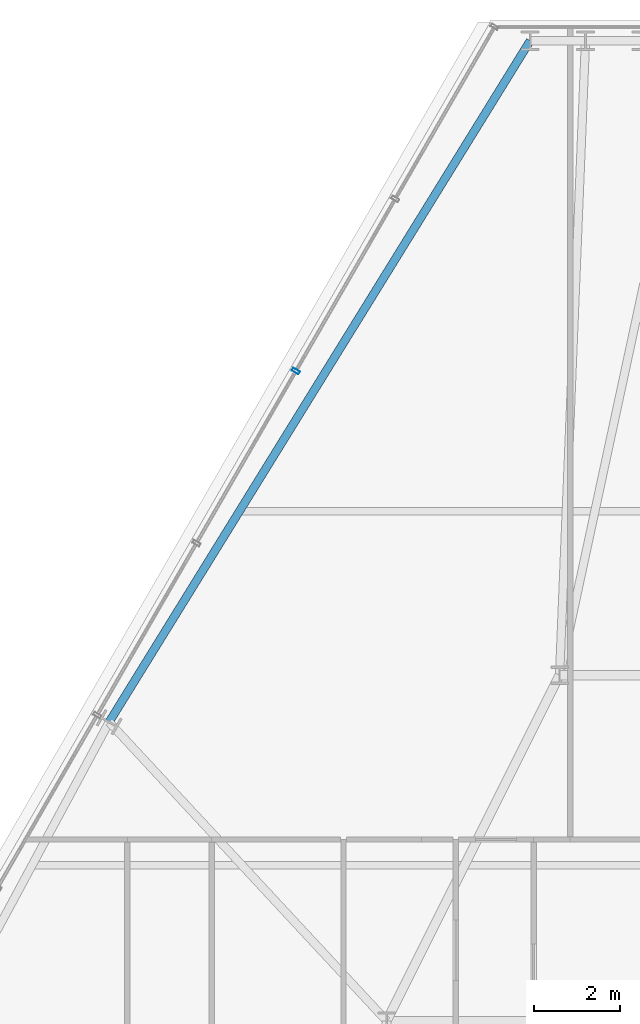
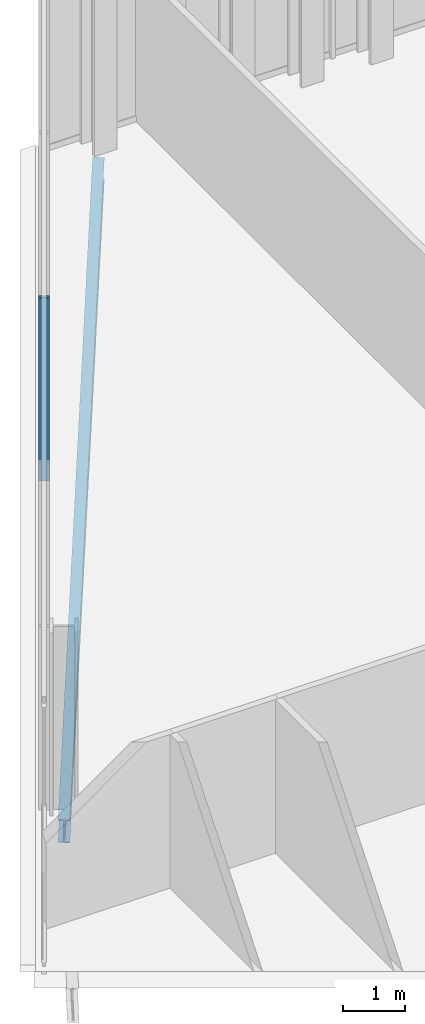
# One storey, part 21 of 33: 1 beam, 1 member, 1 element without a shape of its own.
"""IFC4 building model written with IfcOpenShell, lengths in metres."""

from ifc_helpers import new_model, si_unit, direction, frame, origin, origin_2d, place, context, subcontext, project, spatial, hollow_rectangle, i_section, extrude, material, layer, layer_set, material_profile, profile_set, type_object, element, aggregate, save


model = new_model("IFC4")

# Units and contexts
model_context = context("Model", 3, precision=1e-05, world=origin(), true_north=direction((0.0, 1.0)))
body_context = subcontext(model_context, "Body", "Model", "MODEL_VIEW")
ifc_project = project(units=[si_unit("LENGTHUNIT", "METRE"), si_unit("AREAUNIT", "SQUARE_METRE"), si_unit("VOLUMEUNIT", "CUBIC_METRE"), si_unit("PLANEANGLEUNIT", "RADIAN"), si_unit("MASSUNIT", "GRAM", prefix="KILO")], contexts=[model_context])

# Site, building, storey
site_placement = place(None, origin())
site = spatial("IfcSite", under=ifc_project, at=site_placement, CompositionType="ELEMENT")
building_placement = place(site_placement, origin())
building = spatial("IfcBuilding", under=site, at=building_placement, Name="Ndaravel Arena Tower", CompositionType="ELEMENT")
storey_placement = place(building_placement, frame((0.0, 0.0, 161.199951171875)))
storey = spatial("IfcBuildingStorey", under=building, at=storey_placement, Name="L38", CompositionType="ELEMENT", Elevation=161.199951171875)

# Beam
ifc_material_1 = material(Name="Steel S355", Category="steel")
ifc_material_profile_1 = material_profile(ifc_material_1, i_section(OverallWidth=0.18994140625, OverallDepth=0.449951171875, WebThickness=0.009521484375, FlangeThickness=0.0146484375, FilletRadius=0.02099609375, at=origin_2d()), Name="IPE 450")
ifc_profile_set_1 = profile_set([ifc_material_profile_1], Name="Steel S355")
beam_type = type_object("IfcBeamType", Name="BM-SPAN-IPE450", PredefinedType="SPANDREL", material=ifc_profile_set_1)
beam_placement = place(storey_placement, frame((37.519775390625, 45.881591796875, -0.445068359375), z_axis=(-0.525677399695, -0.850684002112, 0.0), x_axis=(0.850684002112, -0.525677399695, 0.0)))
element("IfcBeam", 1, at=beam_placement, inside=storey, type_object=beam_type, Name="L38 Perimeter Spandrel Beam SP-18", PredefinedType="SPANDREL", context=body_context, shape_type="SweptSolid", body=[
    extrude(i_section(OverallWidth=0.18994140625, OverallDepth=0.449951171875, WebThickness=0.009521484375, FlangeThickness=0.0146484375, FilletRadius=0.02099609375, at=origin_2d()), origin(), (0.0, 0.0, 1.0), 18.533935546875),
])

# Curtain wall, member
ifc_material_2 = material(Name="Aluminium", Category="aluminium")
ifc_layer = layer(ifc_material_2, 0.179931640625)
ifc_layer_set = layer_set([ifc_layer], Name="Aluminium")
curtain_wall_type = type_object("IfcCurtainWallType", Name="CW-SYS-03", PredefinedType="NOTDEFINED", material=ifc_layer_set)
curtain_wall_placement = place(storey_placement, origin())
curtain_wall = element("IfcCurtainWall", 2, at=curtain_wall_placement, inside=storey, type_object=curtain_wall_type, Name="L38 Faceted Crystal Curtain Wall CW-L38-E05", PredefinedType="NOTDEFINED")
ifc_material_3 = material(Name="Aluminium", Category="aluminium")
ifc_material_profile_2 = material_profile(ifc_material_3, hollow_rectangle(XDim=0.074951171875, YDim=0.179931640625, WallThickness=0.00390625, at=origin_2d()), Name="CW MULLION 75x180x4")
ifc_profile_set_2 = profile_set([ifc_material_profile_2], Name="Aluminium")
member_type = type_object("IfcMemberType", Name="MEM-CW-MUL180", PredefinedType="MULLION", material=ifc_profile_set_2)
member_placement = place(storey_placement, frame((32.097412109375, 38.23828125, 0.0), z_axis=(0.0, 0.0, 1.0), x_axis=(-0.5, -0.866025403784, 0.0)))
member = element("IfcMember", 3, at=member_placement, type_object=member_type, Name="CW-L38-E05 Mullion 02", PredefinedType="MULLION", context=body_context, shape_type="SweptSolid", body=[
    extrude(hollow_rectangle(XDim=0.074951171875, YDim=0.179931640625, WallThickness=0.00390625, at=origin_2d()), origin(), (0.0, 0.0, 1.0), 3.580078125),
])
aggregate(curtain_wall, [member])

save(model, "model.ifc")
